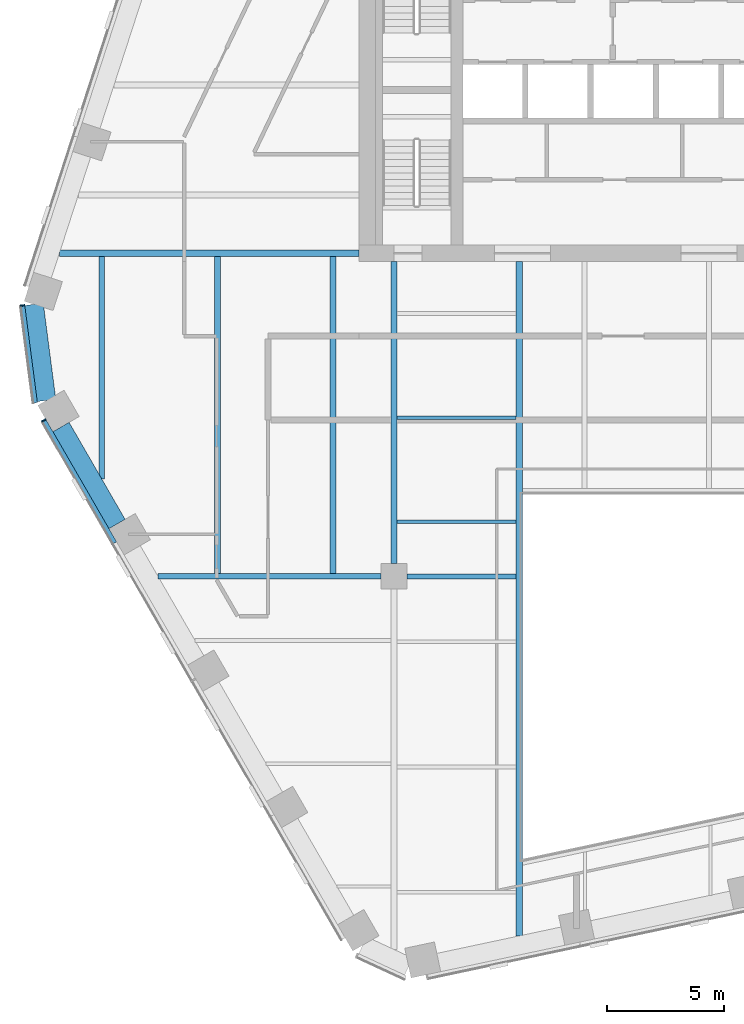
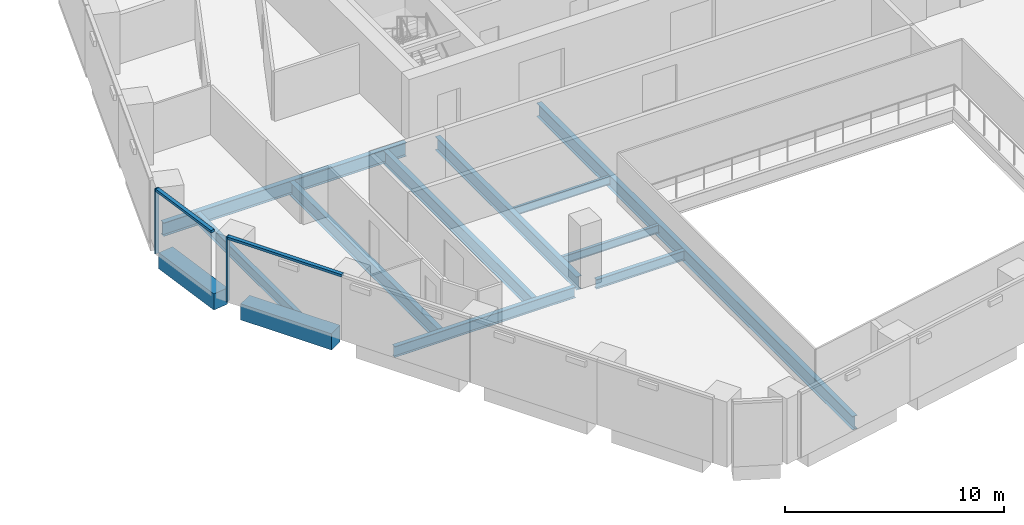
# One storey, part 3 of 17: 12 beams, 4 members, 2 elements without a shape of their own.
"""IFC4 building model written with IfcOpenShell, lengths in metres."""

from ifc_helpers import new_model, si_unit, direction, frame, origin, origin_2d, place, context, subcontext, project, spatial, rectangle, i_section, extrude, material, layer, layer_set, material_profile, profile_set, type_object, element, aggregate, save


model = new_model("IFC4")

# Units and contexts
model_context = context("Model", 3, precision=1e-05, world=origin(), true_north=direction((0.0, 1.0)))
body_context = subcontext(model_context, "Body", "Model", "MODEL_VIEW")
ifc_project = project(units=[si_unit("LENGTHUNIT", "METRE"), si_unit("AREAUNIT", "SQUARE_METRE"), si_unit("VOLUMEUNIT", "CUBIC_METRE"), si_unit("PLANEANGLEUNIT", "RADIAN"), si_unit("MASSUNIT", "GRAM", prefix="KILO")], contexts=[model_context])

# Site, building, storey
site_placement = place(None, origin())
site = spatial("IfcSite", under=ifc_project, at=site_placement, CompositionType="ELEMENT")
building_placement = place(site_placement, origin())
building = spatial("IfcBuilding", under=site, at=building_placement, Name="Isthmus Gate Tower", CompositionType="ELEMENT")
storey_placement = place(building_placement, frame((0.0, 0.0, 200.0)))
storey = spatial("IfcBuildingStorey", under=building, at=storey_placement, Name="L50", CompositionType="ELEMENT", Elevation=200.0)

# Curtain wall, member
ifc_material_1 = material(Name="Aluminium, pale champagne anodised", Category="aluminium")
ifc_layer = layer(ifc_material_1, 0.199951171875)
ifc_layer_set = layer_set([ifc_layer], Name="CW-1 UNITISED CURTAIN WALL 200 DEEP")
curtain_wall_type = type_object("IfcCurtainWallType", Name="CW-1 UNITISED CURTAIN WALL 200 DEEP", PredefinedType="NOTDEFINED", material=ifc_layer_set)
curtain_wall_1_placement = place(storey_placement, origin())
curtain_wall_1 = element("IfcCurtainWall", 1, at=curtain_wall_1_placement, inside=storey, type_object=curtain_wall_type, Name="CW-1 NW-SW L50", PredefinedType="NOTDEFINED")
ifc_material_2 = material(Name="Aluminium, pale champagne anodised", Category="aluminium")
ifc_material_profile_1 = material_profile(ifc_material_2, rectangle(XDim=0.06005859375, YDim=0.199951171875, at=origin_2d()), Name="60x200")
ifc_profile_set_1 = profile_set([ifc_material_profile_1], Name="Aluminium, pale champagne anodised")
member_type_1 = type_object("IfcMemberType", Name="CW-1 MULLION 60 X 200", PredefinedType="MULLION", material=ifc_profile_set_1)
member_1_placement = place(storey_placement, frame((-29.42724609375, -1.88525390625, 0.0), z_axis=(0.0, 0.0, 1.0), x_axis=(0.129164534, -0.991623175988, 0.0)))
member_1 = element("IfcMember", 2, at=member_1_placement, type_object=member_type_1, Name="CW-1 mullion", PredefinedType="MULLION", context=body_context, shape_type="SweptSolid", body=[
    extrude(rectangle(XDim=0.06005859375, YDim=0.199951171875, at=origin_2d()), origin(), (0.0, 0.0, 1.0), 3.64990234375),
])

curtain_wall_2_placement = place(storey_placement, origin())
curtain_wall_2 = element("IfcCurtainWall", 3, at=curtain_wall_2_placement, inside=storey, type_object=curtain_wall_type, Name="CW-1 SW L50", PredefinedType="NOTDEFINED")
member_2_placement = place(storey_placement, frame((-28.5146484375, -6.811279296875, 0.0), z_axis=(0.0, 0.0, 1.0), x_axis=(0.5, -0.866025403784, 0.0)))
member_2 = element("IfcMember", 4, at=member_2_placement, type_object=member_type_1, Name="CW-1 mullion", PredefinedType="MULLION", context=body_context, shape_type="SweptSolid", body=[
    extrude(rectangle(XDim=0.06005859375, YDim=0.199951171875, at=origin_2d()), origin(), (0.0, 0.0, 1.0), 3.64990234375),
])

# Member
ifc_material_3 = material(Name="Aluminium, pale champagne anodised", Category="aluminium")
ifc_material_profile_2 = material_profile(ifc_material_3, rectangle(XDim=0.199951171875, YDim=0.139892578125, at=origin_2d()), Name="200x140")
ifc_profile_set_2 = profile_set([ifc_material_profile_2], Name="Aluminium, pale champagne anodised")
member_type_2 = type_object("IfcMemberType", Name="CW-1 TRANSOM 200 X 140", PredefinedType="USERDEFINED", material=ifc_profile_set_2)
member_3_placement = place(storey_placement, frame((-29.42333984375, -1.9150390625, 3.580078125), z_axis=(0.129149481977, -0.991625136483, 0.0), x_axis=(0.991625136483, 0.129149481977, 0.0)))
member_3 = element("IfcMember", 5, at=member_3_placement, type_object=member_type_2, Name="CW-1 transom", ObjectType="TRANSOM", PredefinedType="USERDEFINED", context=body_context, shape_type="SweptSolid", body=[
    extrude(rectangle(XDim=0.199951171875, YDim=0.139892578125, at=origin_2d()), origin(), (0.0, 0.0, 1.0), 4.181396484375),
])

aggregate(curtain_wall_1, [member_1, member_3])

member_4_placement = place(storey_placement, frame((-28.49951171875, -6.837158203125, 3.580078125), z_axis=(0.499990697366, -0.866030774596, 0.0), x_axis=(0.866030774596, 0.499990697366, 0.0)))
member_4 = element("IfcMember", 6, at=member_4_placement, type_object=member_type_2, Name="CW-1 transom", ObjectType="TRANSOM", PredefinedType="USERDEFINED", context=body_context, shape_type="SweptSolid", body=[
    extrude(rectangle(XDim=0.199951171875, YDim=0.139892578125, at=origin_2d()), origin(), (0.0, 0.0, 1.0), 6.0400390625),
])

aggregate(curtain_wall_2, [member_2, member_4])

# Beams
ifc_material_4 = material(Name="Concrete f'c 60 MPa", Category="concrete")
ifc_material_profile_3 = material_profile(ifc_material_4, rectangle(XDim=0.800048828125, YDim=0.89990234375, at=origin_2d()), Name="RC 800X900")
ifc_profile_set_3 = profile_set([ifc_material_profile_3], Name="Concrete f'c 60 MPa")
beam_type_1 = type_object("IfcBeamType", Name="RC SPANDREL 800 X 900", PredefinedType="SPANDREL", material=ifc_profile_set_3)
beam_1_placement = place(storey_placement, frame((-25.37158203125, -11.255126953125, -0.449951171875), z_axis=(-0.499979284789, 0.866037363387, 0.0), x_axis=(-0.866037363387, -0.499979284789, 0.0)))
element("IfcBeam", 7, at=beam_1_placement, inside=storey, type_object=beam_type_1, Name="str-spandrel-L50-19", PredefinedType="SPANDREL", context=body_context, shape_type="SweptSolid", body=[
    extrude(rectangle(XDim=0.800048828125, YDim=0.89990234375, at=origin_2d()), origin(), (0.0, 0.0, 1.0), 4.800048828125),
])
beam_2_placement = place(storey_placement, frame((-28.392822265625, -5.955810546875, -0.449951171875), z_axis=(-0.129170777359, 0.991622362735, 0.0), x_axis=(-0.991622362735, -0.129170777359, 0.0)))
element("IfcBeam", 8, at=beam_2_placement, inside=storey, type_object=beam_type_1, Name="str-spandrel-L50-20", PredefinedType="SPANDREL", context=body_context, shape_type="SweptSolid", body=[
    extrude(rectangle(XDim=0.800048828125, YDim=0.89990234375, at=origin_2d()), origin(), (0.0, 0.0, 1.0), 4.15234375),
])
ifc_material_5 = material(Name="Structural steel ASTM A992 Gr 50", Category="steel")
ifc_material_profile_4 = material_profile(ifc_material_5, i_section(OverallWidth=0.15234375, OverallDepth=0.45068359375, WebThickness=0.0078125, FlangeThickness=0.010986328125, at=origin_2d()), Name="W18X35")
ifc_profile_set_4 = profile_set([ifc_material_profile_4], Name="Structural steel ASTM A992 Gr 50")
beam_type_2 = type_object("IfcBeamType", Name="STEEL FLOOR BEAM W18X35", PredefinedType="JOIST", material=ifc_profile_set_4)
for number, where, z_axis, x_axis, name in (
    (9, (-13.3681640625, -11.16259765625, -0.37548828125), (1.0, 0.0, 0.0), (0.0, 1.0, 0.0), "str-beam-L50-04-00"),
    (10, (-13.3681640625, -6.697509765625, -0.37548828125), (1.0, 0.0, 0.0), (0.0, 1.0, 0.0), "str-beam-L50-04-01"),
):
    element("IfcBeam", number, at=place(storey_placement, frame(where, z_axis=z_axis, x_axis=x_axis)), inside=storey, type_object=beam_type_2, Name=name, PredefinedType="JOIST", context=body_context, shape_type="SweptSolid", body=[
        extrude(i_section(OverallWidth=0.15234375, OverallDepth=0.45068359375, WebThickness=0.0078125, FlangeThickness=0.010986328125, at=origin_2d()), origin(), (0.0, 0.0, 1.0), 5.1015625),
    ])
ifc_material_6 = material(Name="Structural steel ASTM A992 Gr 50", Category="steel")
ifc_material_profile_5 = material_profile(ifc_material_6, i_section(OverallWidth=0.228515625, OverallDepth=0.603271484375, WebThickness=0.010986328125, FlangeThickness=0.014404296875, at=origin_2d()), Name="W24X68")
ifc_profile_set_5 = profile_set([ifc_material_profile_5], Name="Structural steel ASTM A992 Gr 50")
beam_type_3 = type_object("IfcBeamType", Name="STEEL FLOOR BEAM W24X68", PredefinedType="JOIST", material=ifc_profile_set_5)
beam_3_placement = place(storey_placement, frame((-26.028564453125, -9.317138671875, -0.45166015625), z_axis=(0.0, 1.0, 0.0), x_axis=(-1.0, 0.0, 0.0)))
element("IfcBeam", 11, at=beam_3_placement, inside=storey, type_object=beam_type_3, Name="str-beam-L50-00-00", PredefinedType="JOIST", context=body_context, shape_type="SweptSolid", body=[
    extrude(i_section(OverallWidth=0.228515625, OverallDepth=0.603271484375, WebThickness=0.010986328125, FlangeThickness=0.014404296875, at=origin_2d()), origin(), (0.0, 0.0, 1.0), 9.535400390625),
])
ifc_material_7 = material(Name="Structural steel ASTM A992 Gr 50", Category="steel")
ifc_material_profile_6 = material_profile(ifc_material_7, i_section(OverallWidth=0.263427734375, OverallDepth=0.749267578125, WebThickness=0.0126953125, FlangeThickness=0.015869140625, at=origin_2d()), Name="W30X90")
ifc_profile_set_6 = profile_set([ifc_material_profile_6], Name="Structural steel ASTM A992 Gr 50")
beam_type_4 = type_object("IfcBeamType", Name="STEEL FLOOR BEAM W30X90", PredefinedType="JOIST", material=ifc_profile_set_6)
for number, where, z_axis, x_axis, name in (
    (12, (-21.06982421875, -13.3857421875, -0.524658203125), (0.0, 1.0, 0.0), (-1.0, 0.0, 0.0), "str-beam-L50-00-01"),
    (13, (-16.111083984375, -13.3857421875, -0.524658203125), (0.0, 1.0, 0.0), (-1.0, 0.0, 0.0), "str-beam-L50-00-02"),
):
    element("IfcBeam", number, at=place(storey_placement, frame(where, z_axis=z_axis, x_axis=x_axis)), inside=storey, type_object=beam_type_4, Name=name, PredefinedType="JOIST", context=body_context, shape_type="SweptSolid", body=[
        extrude(i_section(OverallWidth=0.263427734375, OverallDepth=0.749267578125, WebThickness=0.0126953125, FlangeThickness=0.015869140625, at=origin_2d()), origin(), (0.0, 0.0, 1.0), 13.60400390625),
    ])
ifc_material_8 = material(Name="Structural steel ASTM A992 Gr 50", Category="steel")
ifc_material_profile_7 = material_profile(ifc_material_8, i_section(OverallWidth=0.20947265625, OverallDepth=0.533447265625, WebThickness=0.009521484375, FlangeThickness=0.015869140625, at=origin_2d()), Name="W21X62")
ifc_profile_set_7 = profile_set([ifc_material_profile_7], Name="Structural steel ASTM A992 Gr 50")
beam_type_5 = type_object("IfcBeamType", Name="STEEL GIRDER W21X62", PredefinedType="BEAM", material=ifc_profile_set_7)
beam_4_placement = place(storey_placement, frame((-12.949951171875, -13.5, -0.416748046875), z_axis=(1.0, 0.0, 0.0), x_axis=(0.0, 1.0, 0.0)))
element("IfcBeam", 14, at=beam_4_placement, inside=storey, type_object=beam_type_5, Name="str-girder-L50-02", PredefinedType="BEAM", context=body_context, shape_type="SweptSolid", body=[
    extrude(i_section(OverallWidth=0.20947265625, OverallDepth=0.533447265625, WebThickness=0.009521484375, FlangeThickness=0.015869140625, at=origin_2d()), origin(), (0.0, 0.0, 1.0), 4.683349609375),
])
ifc_material_9 = material(Name="Structural steel ASTM A992 Gr 50", Category="steel")
ifc_material_profile_8 = material_profile(ifc_material_9, i_section(OverallWidth=0.228515625, OverallDepth=0.6064453125, WebThickness=0.010986328125, FlangeThickness=0.017578125, at=origin_2d()), Name="W24X76")
ifc_profile_set_8 = profile_set([ifc_material_profile_8], Name="Structural steel ASTM A992 Gr 50")
beam_type_6 = type_object("IfcBeamType", Name="STEEL GIRDER W24X76", PredefinedType="BEAM", material=ifc_profile_set_8)
beam_5_placement = place(storey_placement, frame((-23.613525390625, -13.5, -0.453125), z_axis=(1.0, 0.0, 0.0), x_axis=(0.0, 1.0, 0.0)))
element("IfcBeam", 15, at=beam_5_placement, inside=storey, type_object=beam_type_6, Name="str-girder-L50-01", PredefinedType="BEAM", context=body_context, shape_type="SweptSolid", body=[
    extrude(i_section(OverallWidth=0.228515625, OverallDepth=0.6064453125, WebThickness=0.010986328125, FlangeThickness=0.017578125, at=origin_2d()), origin(), (0.0, 0.0, 1.0), 9.5634765625),
])
ifc_material_10 = material(Name="Structural steel ASTM A992 Gr 50", Category="steel")
ifc_material_profile_9 = material_profile(ifc_material_10, i_section(OverallWidth=0.263427734375, OverallDepth=0.749267578125, WebThickness=0.0126953125, FlangeThickness=0.015869140625, at=origin_2d()), Name="W30X90")
ifc_profile_set_9 = profile_set([ifc_material_profile_9], Name="Structural steel ASTM A992 Gr 50")
beam_type_7 = type_object("IfcBeamType", Name="STEEL GIRDER W30X90", PredefinedType="BEAM", material=ifc_profile_set_9)
beam_6_placement = place(storey_placement, frame((-13.5, -12.949951171875, -0.524658203125), z_axis=(0.0, 1.0, 0.0), x_axis=(-1.0, 0.0, 0.0)))
element("IfcBeam", 16, at=beam_6_placement, inside=storey, type_object=beam_type_7, Name="str-girder-L50-08", PredefinedType="BEAM", context=body_context, shape_type="SweptSolid", body=[
    extrude(i_section(OverallWidth=0.263427734375, OverallDepth=0.749267578125, WebThickness=0.0126953125, FlangeThickness=0.015869140625, at=origin_2d()), origin(), (0.0, 0.0, 1.0), 12.949951171875),
])
beam_7_placement = place(storey_placement, frame((-15.0, 0.35009765625, -0.524658203125), z_axis=(-1.0, 0.0, 0.0), x_axis=(0.0, -1.0, 0.0)))
element("IfcBeam", 17, at=beam_7_placement, inside=storey, type_object=beam_type_7, Name="str-girder-L50-13", PredefinedType="BEAM", context=body_context, shape_type="SweptSolid", body=[
    extrude(i_section(OverallWidth=0.263427734375, OverallDepth=0.749267578125, WebThickness=0.0126953125, FlangeThickness=0.015869140625, at=origin_2d()), origin(), (0.0, 0.0, 1.0), 12.8427734375),
])
ifc_material_11 = material(Name="Structural steel ASTM A992 Gr 50", Category="steel")
ifc_material_profile_10 = material_profile(ifc_material_11, i_section(OverallWidth=0.2666015625, OverallDepth=0.7587890625, WebThickness=0.014404296875, FlangeThickness=0.01904296875, at=origin_2d()), Name="W30X108")
ifc_profile_set_10 = profile_set([ifc_material_profile_10], Name="Structural steel ASTM A992 Gr 50")
beam_type_8 = type_object("IfcBeamType", Name="STEEL TRIMMER W30X108", PredefinedType="BEAM", material=ifc_profile_set_10)
beam_8_placement = place(storey_placement, frame((-8.13330078125, 0.0, -0.529296875), z_axis=(0.0, -1.0, 0.0), x_axis=(1.0, 0.0, 0.0)))
element("IfcBeam", 18, at=beam_8_placement, inside=storey, type_object=beam_type_8, Name="str-trimmer-L50-02", PredefinedType="BEAM", context=body_context, shape_type="SweptSolid", body=[
    extrude(i_section(OverallWidth=0.2666015625, OverallDepth=0.7587890625, WebThickness=0.014404296875, FlangeThickness=0.01904296875, at=origin_2d()), origin(), (0.0, 0.0, 1.0), 28.910888671875),
])

save(model, "model.ifc")
